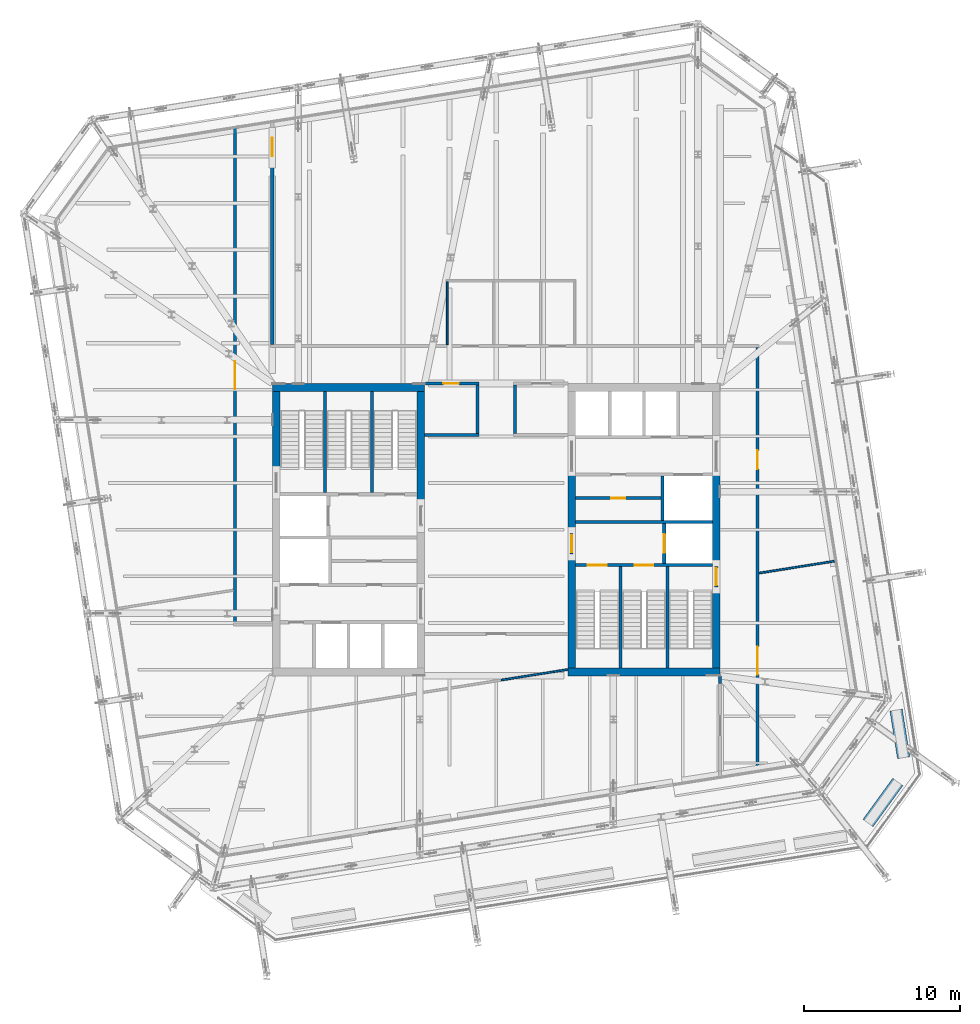
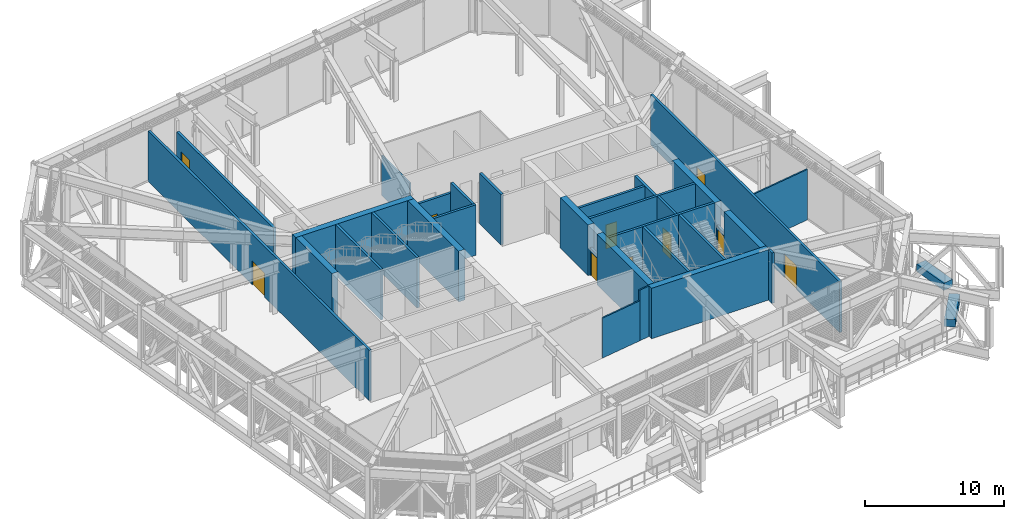
# One storey, part 22 of 35: 33 walls, 11 doors, 11 openings.
"""IFC4 building model written with IfcOpenShell, lengths in metres."""

import ifcopenshell
import ifcopenshell.guid

model = None  # the IFC model being written
_history = None  # IfcOwnerHistory: only IFC2X3 demands one
_inside = {}  # id of a spatial element -> (the spatial element, [elements in it])
_under = {}  # id of a project, library or spatial element -> (it, [spatial elements below it])
_declared = {}  # id of a project -> (the project, [libraries it declares])
_typed = {}  # id of a type object -> (the type object, [elements of that type])
_made_of = {}  # id of a material, layer set ... -> (it, [elements and type objects made of it])


def new_model(schema):
    """Start an empty IFC model of exactly this schema.

    Asked for "IFC4X3", IfcOpenShell would pick the latest addendum, in which some entities
    have other attributes; the version numbers below select the first issue.
    IFC2X3 requires an IfcOwnerHistory on every rooted entity: one is made here for all.
    """
    global model, _history
    if schema == "IFC4X3":
        model = ifcopenshell.file(schema_version=(4, 3, 0, 0))
    else:
        model = ifcopenshell.file(schema=schema)
    _inside.clear()
    _under.clear()
    _declared.clear()
    _typed.clear()
    _made_of.clear()
    _history = None
    if model.schema == "IFC2X3":
        org = make("IfcOrganization", Name="unknown")
        user = make(
            "IfcPersonAndOrganization",
            ThePerson=make("IfcPerson", FamilyName="unknown"),
            TheOrganization=org,
        )
        app = make(
            "IfcApplication",
            ApplicationDeveloper=org,
            Version="unknown",
            ApplicationFullName="unknown",
            ApplicationIdentifier="unknown",
        )
        _history = make(
            "IfcOwnerHistory",
            OwningUser=user,
            OwningApplication=app,
            ChangeAction="ADDED",
            CreationDate=0,
        )
    return model


def make(cls, **values):
    """One entity of the class cls with the attributes given. An attribute that is None is left unset."""
    return model.create_entity(
        cls, **{name: value for name, value in values.items() if value is not None}
    )


def rooted(cls, **values):
    """An entity with a GlobalId (a new one), such as an element, a storey or a relation."""
    return make(cls, GlobalId=ifcopenshell.guid.new(), OwnerHistory=_history, **values)


def si_unit(unit_type, name, prefix=None):
    """IfcSIUnit, for example si_unit("LENGTHUNIT", "METRE", prefix="MILLI")."""
    return make("IfcSIUnit", UnitType=unit_type, Prefix=prefix, Name=name)


def assignment(units):
    """IfcUnitAssignment: the units of a project."""
    return None if units is None else make("IfcUnitAssignment", Units=units)


def point(xyz):
    """IfcCartesianPoint."""
    return None if xyz is None else make("IfcCartesianPoint", Coordinates=xyz)


def direction(xyz):
    """IfcDirection."""
    return None if xyz is None else make("IfcDirection", DirectionRatios=xyz)


def frame(location, z_axis=None, x_axis=None):
    """IfcAxis2Placement3D, a coordinate frame: its origin and axes. An axis left out is left unset."""
    return make(
        "IfcAxis2Placement3D",
        Location=point(location),
        Axis=direction(z_axis),
        RefDirection=direction(x_axis),
    )


def frame_2d(location, x_axis=None):
    """IfcAxis2Placement2D, a coordinate frame in the plane: its origin and x axis."""
    return make(
        "IfcAxis2Placement2D", Location=point(location), RefDirection=direction(x_axis)
    )


def origin():
    """The frame at (0, 0, 0) with its axes left unset."""
    return frame((0.0, 0.0, 0.0))


def place(relative_to, where):
    """IfcLocalPlacement: puts the frame where relative to a parent placement (None: the world)."""
    return make(
        "IfcLocalPlacement", PlacementRelTo=relative_to, RelativePlacement=where
    )


def context(
    kind, dimensions, precision=None, world=None, true_north=None, identifier=None
):
    """IfcGeometricRepresentationContext, for example the 3D "Model" context."""
    return make(
        "IfcGeometricRepresentationContext",
        ContextIdentifier=identifier,
        ContextType=kind,
        CoordinateSpaceDimension=dimensions,
        Precision=precision,
        WorldCoordinateSystem=world,
        TrueNorth=true_north,
    )


def subcontext(parent, identifier, kind, view, scale=None):
    """IfcGeometricRepresentationSubContext, for example "Body" below "Model"."""
    return make(
        "IfcGeometricRepresentationSubContext",
        ContextIdentifier=identifier,
        ContextType=kind,
        ParentContext=parent,
        TargetScale=scale,
        TargetView=view,
    )


def project(units=None, contexts=None):
    """IfcProject with its units and contexts."""
    return rooted(
        "IfcProject",
        Name="project",
        RepresentationContexts=contexts,
        UnitsInContext=assignment(units),
    )


def spatial(cls, under=None, at=None, **own):
    """A site, building, storey or space (cls), placed at a placement, below another one or the project."""
    s = rooted(cls, ObjectPlacement=at, **own)
    if under is not None:
        _under.setdefault(under.id(), (under, []))[1].append(s)
    return s


def profile(cls, at=None, kind="AREA", **sizes):
    """A parametric profile (cls). Its sizes go by their IFC names, for example OverallWidth=200.0."""
    return make(cls, ProfileType=kind, Position=at, **sizes)


def rectangle(**sizes):
    """IfcRectangleProfileDef."""
    return profile("IfcRectangleProfileDef", **sizes)


def extrude(swept, where, along, depth):
    """IfcExtrudedAreaSolid: the profile swept, set in the frame where, extruded along a direction by depth."""
    return make(
        "IfcExtrudedAreaSolid",
        SweptArea=swept,
        Position=where,
        ExtrudedDirection=direction(along),
        Depth=depth,
    )


def shape(context_of_items, identifier, shape_type, items):
    """IfcShapeRepresentation: the items that make up one representation, for example the "Body"."""
    return make(
        "IfcShapeRepresentation",
        ContextOfItems=context_of_items,
        RepresentationIdentifier=identifier,
        RepresentationType=shape_type,
        Items=items,
    )


def material(Name=None, Category=None):
    """IfcMaterial."""
    return make("IfcMaterial", Name=Name, Category=Category)


def layer(
    of_material, thickness, ventilated=None, Name=None, Category=None, Priority=None
):
    """IfcMaterialLayer: one layer of a wall or slab, of a material (None: an air gap)."""
    return make(
        "IfcMaterialLayer",
        Material=of_material,
        LayerThickness=thickness,
        IsVentilated=ventilated,
        Name=Name,
        Category=Category,
        Priority=Priority,
    )


def layer_set(layers, Name=None):
    """IfcMaterialLayerSet."""
    return make("IfcMaterialLayerSet", MaterialLayers=layers, LayerSetName=Name)


def made_of(thing, what):
    """Note that an element or type object is made of a material, layer set ...; save() writes the relation."""
    if what is not None:
        _made_of.setdefault(what.id(), (what, []))[1].append(thing)
    return thing


def type_object(cls, material=None, **own):
    """A type object (cls), such as IfcWallType, which elements share."""
    return made_of(rooted(cls, **own), material)


def element(
    cls,
    number,
    at=None,
    inside=None,
    cuts=None,
    type_object=None,
    material=None,
    context=None,
    identifier="Body",
    shape_type=None,
    held_by="IfcProductDefinitionShape",
    body=None,
    shapes=None,
    **own,
):
    """One element of the class cls, such as IfcWall. Its Tag is "e" and its number.

    at: its placement. inside: the storey or other place that contains it. cuts: it is an
    opening in that element (IfcRelVoidsElement). A single representation is given by context,
    identifier, shape_type and body (its items); several are given by shapes. held_by: the class
    of the entity that holds the representations. save() writes the other relations.
    """
    e = rooted(cls, Tag="e%d" % number, ObjectPlacement=at, **own)
    if body is not None:
        shapes = [shape(context, identifier, shape_type, body)]
    if shapes is not None:
        e.Representation = make(held_by, Representations=shapes)
    if inside is not None:
        _inside.setdefault(inside.id(), (inside, []))[1].append(e)
    if cuts is not None:
        rooted(
            "IfcRelVoidsElement", RelatingBuildingElement=cuts, RelatedOpeningElement=e
        )
    if type_object is not None:
        _typed.setdefault(type_object.id(), (type_object, []))[1].append(e)
    return made_of(e, material)


def fill(opening, filler):
    """IfcRelFillsElement: the door or window that sits in an opening."""
    return rooted(
        "IfcRelFillsElement",
        RelatingOpeningElement=opening,
        RelatedBuildingElement=filler,
    )


def aggregate(whole, parts):
    """IfcRelAggregates: a whole, such as a stair, and the parts it consists of."""
    return rooted("IfcRelAggregates", RelatingObject=whole, RelatedObjects=parts)


def save(model, path):
    """Write the relations noted so far, then the file.

    IfcRelAggregates (storeys below a building ...), IfcRelContainedInSpatialStructure (elements
    in a storey), IfcRelDefinesByType, IfcRelAssociatesMaterial and IfcRelDeclares: one each for
    every whole, place, type object, material and project.
    """
    for whole, parts in _under.values():
        aggregate(whole, parts)
    for where, things in _inside.values():
        rooted(
            "IfcRelContainedInSpatialStructure",
            RelatedElements=things,
            RelatingStructure=where,
        )
    for kind, things in _typed.values():
        rooted("IfcRelDefinesByType", RelatedObjects=things, RelatingType=kind)
    for what, things in _made_of.values():
        rooted("IfcRelAssociatesMaterial", RelatedObjects=things, RelatingMaterial=what)
    for by, libraries in _declared.values():
        rooted("IfcRelDeclares", RelatingContext=by, RelatedDefinitions=libraries)
    model.write(path)


model = new_model("IFC4")

# Units and contexts
model_context = context("Model", 3, precision=1e-05, world=origin(), true_north=direction((0.0, 1.0)))
body_context = subcontext(model_context, "Body", "Model", "MODEL_VIEW")
ifc_project = project(units=[si_unit("LENGTHUNIT", "METRE"), si_unit("AREAUNIT", "SQUARE_METRE"), si_unit("VOLUMEUNIT", "CUBIC_METRE"), si_unit("PLANEANGLEUNIT", "RADIAN"), si_unit("MASSUNIT", "GRAM", prefix="KILO")], contexts=[model_context])

# Site, building, storey
site_placement = place(None, origin())
site = spatial("IfcSite", under=ifc_project, at=site_placement, CompositionType="ELEMENT")
building_placement = place(site_placement, origin())
building = spatial("IfcBuilding", under=site, at=building_placement, Name="Millrace Tower", CompositionType="ELEMENT")
storey_placement = place(building_placement, frame((0.0, 0.0, 200.10009765625)))
storey = spatial("IfcBuildingStorey", under=building, at=storey_placement, Name="L45", CompositionType="ELEMENT", Elevation=200.10009765625)

# Walls
ifc_material_1 = material(Name="Concrete C60", Category="concrete")
ifc_layer_1 = layer(ifc_material_1, 0.5)
ifc_layer_set_1 = layer_set([ifc_layer_1], Name="Concrete C60")
wall_type_1 = type_object("IfcWallType", Name="Core wall 500 Concrete C60", PredefinedType="SHEAR", material=ifc_layer_set_1)
wall_1_placement = place(storey_placement, frame((-14.39990234375, 9.14990234375, 0.0), z_axis=(0.0, 0.0, 1.0), x_axis=(1.0, 0.0, 0.0)))
element("IfcWall", 1, at=wall_1_placement, inside=storey, type_object=wall_type_1, Name="Core wall W L45", PredefinedType="SHEAR", context=body_context, shape_type="SweptSolid", body=[
    extrude(rectangle(XDim=9.7998046875, YDim=0.5, at=frame_2d((4.89990234375, 0.0))), origin(), (0.0, 0.0, 1.0), 4.43994140625),
])
wall_2_placement = place(storey_placement, frame((-14.14990234375, 3.679931640625, 0.0), z_axis=(0.0, 0.0, 1.0), x_axis=(0.0, 1.0, 0.0)))
element("IfcWall", 2, at=wall_2_placement, inside=storey, type_object=wall_type_1, Name="Core wall W L45", PredefinedType="SHEAR", context=body_context, shape_type="SweptSolid", body=[
    extrude(rectangle(XDim=5.219970703125, YDim=0.5, at=frame_2d((2.60986328125, 0.0))), origin(), (0.0, 0.0, 1.0), 4.43994140625),
])
wall_3_placement = place(storey_placement, frame((-4.85009765625, 1.550048828125, 0.0), z_axis=(0.0, 0.0, 1.0), x_axis=(0.0, 1.0, 0.0)))
element("IfcWall", 3, at=wall_3_placement, inside=storey, type_object=wall_type_1, Name="Core wall W L45", PredefinedType="SHEAR", context=body_context, shape_type="SweptSolid", body=[
    extrude(rectangle(XDim=7.349853515625, YDim=0.5, at=frame_2d((3.6748046875, 0.0))), origin(), (0.0, 0.0, 1.0), 4.43994140625),
])
wall_4_placement = place(storey_placement, frame((14.39990234375, -9.14990234375, 0.0), z_axis=(0.0, 0.0, 1.0), x_axis=(-1.0, 0.0, 0.0)))
element("IfcWall", 4, at=wall_4_placement, inside=storey, type_object=wall_type_1, Name="Core wall E L45", PredefinedType="SHEAR", context=body_context, shape_type="SweptSolid", body=[
    extrude(rectangle(XDim=9.7998046875, YDim=0.5, at=frame_2d((4.89990234375, 0.0))), origin(), (0.0, 0.0, 1.0), 4.43994140625),
])
wall_5_placement = place(storey_placement, frame((14.14990234375, 3.75, 0.0), z_axis=(0.0, 0.0, 1.0), x_axis=(0.0, -1.0, 0.0)))
element("IfcWall", 5, at=wall_5_placement, inside=storey, type_object=wall_type_1, Name="Core wall E L45", PredefinedType="SHEAR", context=body_context, shape_type="SweptSolid", body=[
    extrude(rectangle(XDim=6.1298828125, YDim=0.5, at=frame_2d((3.06494140625, 0.0))), origin(), (0.0, 0.0, 1.0), 4.43994140625),
])
wall_6_placement = place(storey_placement, frame((14.14990234375, -3.679931640625, 0.0), z_axis=(0.0, 0.0, 1.0), x_axis=(0.0, -1.0, 0.0)))
element("IfcWall", 6, at=wall_6_placement, inside=storey, type_object=wall_type_1, Name="Core wall E L45", PredefinedType="SHEAR", context=body_context, shape_type="SweptSolid", body=[
    extrude(rectangle(XDim=5.219970703125, YDim=0.5, at=frame_2d((2.60986328125, 0.0))), origin(), (0.0, 0.0, 1.0), 4.43994140625),
])
wall_7_placement = place(storey_placement, frame((4.85009765625, 3.75, 0.0), z_axis=(0.0, 0.0, 1.0), x_axis=(0.0, -1.0, 0.0)))
element("IfcWall", 7, at=wall_7_placement, inside=storey, type_object=wall_type_1, Name="Core wall E L45", PredefinedType="SHEAR", context=body_context, shape_type="SweptSolid", body=[
    extrude(rectangle(XDim=4.0, YDim=0.5, at=frame_2d((2.0, 0.0))), origin(), (0.0, 0.0, 1.0), 4.43994140625),
])
wall_8_placement = place(storey_placement, frame((4.85009765625, -1.550048828125, 0.0), z_axis=(0.0, 0.0, 1.0), x_axis=(0.0, -1.0, 0.0)))
element("IfcWall", 8, at=wall_8_placement, inside=storey, type_object=wall_type_1, Name="Core wall E L45", PredefinedType="SHEAR", context=body_context, shape_type="SweptSolid", body=[
    extrude(rectangle(XDim=7.349853515625, YDim=0.5, at=frame_2d((3.6748046875, 0.0))), origin(), (0.0, 0.0, 1.0), 4.43994140625),
])
ifc_material_2 = material(Name="Masonry partition, fire-rated", Category="masonry")
ifc_layer_2 = layer(ifc_material_2, 0.199951171875)
ifc_layer_set_2 = layer_set([ifc_layer_2], Name="Masonry partition, fire-rated")
wall_type_2 = type_object("IfcWallType", Name="Corridor wall 200", PredefinedType="PARTITIONING", material=ifc_layer_set_2)
wall_9_placement = place(storey_placement, frame((-4.60009765625, 6.10009765625, 0.0), z_axis=(0.0, 0.0, 1.0), x_axis=(1.0, 0.0, 0.0)))
element("IfcWall", 9, at=wall_9_placement, inside=storey, type_object=wall_type_2, Name="Corridor wall L45", PredefinedType="PARTITIONING", context=body_context, shape_type="SweptSolid", body=[
    extrude(rectangle(XDim=3.5, YDim=0.199951171875, at=frame_2d((1.75, 0.0))), origin(), (0.0, 0.0, 1.0), 4.43994140625),
])

# Wall, opening, door
wall_10_placement = place(storey_placement, frame((-4.60009765625, 9.39990234375, 0.0), z_axis=(0.0, 0.0, 1.0), x_axis=(1.0, 0.0, 0.0)))
wall_10 = element("IfcWall", 10, at=wall_10_placement, inside=storey, type_object=wall_type_2, Name="Corridor wall L45", PredefinedType="PARTITIONING", context=body_context, shape_type="SweptSolid", body=[
    extrude(rectangle(XDim=3.5, YDim=0.199951171875, at=frame_2d((1.75, 0.0))), origin(), (0.0, 0.0, 1.0), 3.5126953125),
])
opening_1_placement = place(wall_10_placement, frame((1.199951171875, 0.0, 0.0)))
opening_1 = element("IfcOpeningElement", 11, at=opening_1_placement, cuts=wall_10, Name="Opening 45-P001", PredefinedType="OPENING", context=body_context, shape_type="SweptSolid", body=[
    extrude(rectangle(XDim=1.0, YDim=2.10009765625, at=frame_2d((0.5, 1.050048828125))), frame((0.0, 0.10986328125, 0.0), z_axis=(0.0, -1.0, 0.0), x_axis=(1.0, 0.0, 0.0)), (0.0, 0.0, 1.0), 0.219970703125),
])
ifc_material_3 = material(Name="Steel door set, fire-rated", Category="steel")
door_type_1 = type_object("IfcDoorType", Name="Corridor door 1000 x 2100", OperationType="SINGLE_SWING_LEFT", PredefinedType="DOOR", material=ifc_material_3)
door_1_placement = place(opening_1_placement, frame((1.0, 0.0, 0.0), z_axis=(0.0, 0.0, 1.0), x_axis=(-1.0, 0.0, 0.0)))
door_1 = element("IfcDoor", 12, at=door_1_placement, inside=storey, type_object=door_type_1, Name="Door 45-P001", OperationType="SINGLE_SWING_RIGHT", OverallHeight=2.10009765625, OverallWidth=1.0, PredefinedType="DOOR", context=body_context, shape_type="SweptSolid", body=[
    extrude(rectangle(XDim=1.0, YDim=2.10009765625, at=frame_2d((0.5, 1.050048828125))), frame((0.0, 0.02490234375, 0.0), z_axis=(0.0, -1.0, 0.0), x_axis=(1.0, 0.0, 0.0)), (0.0, 0.0, 1.0), 0.050048828125),
])
fill(opening_1, door_1)

# Wall, openings, doors
wall_11_placement = place(storey_placement, frame((16.800048828125, -15.494384765625, 0.0), z_axis=(0.0, 0.0, 1.0), x_axis=(0.0, 1.0, 0.0)))
wall_11 = element("IfcWall", 13, at=wall_11_placement, inside=storey, type_object=wall_type_2, Name="Corridor wall L45", PredefinedType="PARTITIONING", context=body_context, shape_type="SweptSolid", body=[
    extrude(rectangle(XDim=27.1943359375, YDim=0.199951171875, at=frame_2d((13.59716796875, 0.0))), origin(), (0.0, 0.0, 1.0), 4.43994140625),
])
opening_2_placement = place(wall_11_placement, frame((6.16845703125, 0.0, 0.0)))
opening_2 = element("IfcOpeningElement", 14, at=opening_2_placement, cuts=wall_11, Name="Opening 45-P006", PredefinedType="OPENING", context=body_context, shape_type="SweptSolid", body=[
    extrude(rectangle(XDim=1.800048828125, YDim=2.10009765625, at=frame_2d((0.89990234375, 1.050048828125))), frame((0.0, 0.10986328125, 0.0), z_axis=(0.0, -1.0, 0.0), x_axis=(1.0, 0.0, 0.0)), (0.0, 0.0, 1.0), 0.219970703125),
])
opening_3_placement = place(wall_11_placement, frame((19.390380859375, 0.0, 0.0)))
opening_3 = element("IfcOpeningElement", 15, at=opening_3_placement, cuts=wall_11, Name="Opening 45-P007", PredefinedType="OPENING", context=body_context, shape_type="SweptSolid", body=[
    extrude(rectangle(XDim=1.199951171875, YDim=2.10009765625, at=frame_2d((0.60009765625, 1.050048828125))), frame((0.0, 0.10986328125, 0.0), z_axis=(0.0, -1.0, 0.0), x_axis=(1.0, 0.0, 0.0)), (0.0, 0.0, 1.0), 0.219970703125),
])
ifc_material_4 = material(Name="Steel door set, fire-rated", Category="steel")
door_type_2 = type_object("IfcDoorType", Name="Corridor door 1200 x 2100", OperationType="SINGLE_SWING_LEFT", PredefinedType="DOOR", material=ifc_material_4)
door_2_placement = place(opening_3_placement, origin())
door_2 = element("IfcDoor", 16, at=door_2_placement, inside=storey, type_object=door_type_2, Name="Door 45-P007", OperationType="SINGLE_SWING_RIGHT", OverallHeight=2.10009765625, OverallWidth=1.199951171875, PredefinedType="DOOR", context=body_context, shape_type="SweptSolid", body=[
    extrude(rectangle(XDim=1.199951171875, YDim=2.10009765625, at=frame_2d((0.60009765625, 1.050048828125))), frame((0.0, 0.02490234375, 0.0), z_axis=(0.0, -1.0, 0.0), x_axis=(1.0, 0.0, 0.0)), (0.0, 0.0, 1.0), 0.050048828125),
])
fill(opening_3, door_2)
ifc_material_5 = material(Name="Steel door set, fire-rated", Category="steel")
door_type_3 = type_object("IfcDoorType", Name="Corridor door 1800 x 2100", OperationType="DOUBLE_DOOR_SINGLE_SWING", PredefinedType="DOOR", material=ifc_material_5)
door_3_placement = place(opening_2_placement, frame((1.800048828125, 0.0, 0.0), z_axis=(0.0, 0.0, 1.0), x_axis=(-1.0, 0.0, 0.0)))
door_3 = element("IfcDoor", 17, at=door_3_placement, inside=storey, type_object=door_type_3, Name="Door 45-P006", OperationType="DOUBLE_DOOR_SINGLE_SWING", OverallHeight=2.10009765625, OverallWidth=1.800048828125, PredefinedType="DOOR", context=body_context, shape_type="SweptSolid", body=[
    extrude(rectangle(XDim=1.800048828125, YDim=2.10009765625, at=frame_2d((0.89990234375, 1.050048828125))), frame((0.0, 0.02490234375, 0.0), z_axis=(0.0, -1.0, 0.0), x_axis=(1.0, 0.0, 0.0)), (0.0, 0.0, 1.0), 0.050048828125),
])
fill(opening_2, door_3)

# Walls
wall_12_placement = place(storey_placement, frame((14.39990234375, -9.901611328125, 0.0), z_axis=(0.0, 0.0, 1.0), x_axis=(0.0, 1.0, 0.0)))
element("IfcWall", 18, at=wall_12_placement, inside=storey, type_object=wall_type_2, Name="Corridor wall L45", PredefinedType="PARTITIONING", context=body_context, shape_type="SweptSolid", body=[
    extrude(rectangle(XDim=0.501708984375, YDim=0.199951171875, at=frame_2d((0.2509765625, 0.0))), origin(), (0.0, 0.0, 1.0), 4.43994140625),
])
for number, where, z_axis, x_axis, name in (
    (19, (1.199951171875, 6.199951171875, 0.0), (0.0, 0.0, 1.0), (0.0, 1.0, 0.0), "Corridor wall L45"),
    (20, (-1.199951171875, 6.199951171875, 0.0), (0.0, 0.0, 1.0), (0.0, 1.0, 0.0), "Corridor wall L45"),
):
    element("IfcWall", number, at=place(storey_placement, frame(where, z_axis=z_axis, x_axis=x_axis)), inside=storey, type_object=wall_type_2, Name=name, PredefinedType="PARTITIONING", context=body_context, shape_type="SweptSolid", body=[
        extrude(rectangle(XDim=3.10009765625, YDim=0.199951171875, at=frame_2d((1.550048828125, 0.0))), origin(), (0.0, 0.0, 1.0), 4.43994140625),
    ])

# Wall, opening, door
wall_13_placement = place(storey_placement, frame((-14.39990234375, 11.89990234375, 0.0), z_axis=(0.0, 0.0, 1.0), x_axis=(0.0, 1.0, 0.0)))
wall_13 = element("IfcWall", 21, at=wall_13_placement, inside=storey, type_object=wall_type_2, Name="Corridor wall L45", PredefinedType="PARTITIONING", context=body_context, shape_type="SweptSolid", body=[
    extrude(rectangle(XDim=13.94873046875, YDim=0.199951171875, at=frame_2d((6.974365234375, 0.0))), origin(), (0.0, 0.0, 1.0), 3.492431640625),
])
opening_4_placement = place(wall_13_placement, frame((12.10009765625, 0.0, 0.0)))
opening_4 = element("IfcOpeningElement", 22, at=opening_4_placement, cuts=wall_13, Name="Opening 45-P011", PredefinedType="OPENING", context=body_context, shape_type="SweptSolid", body=[
    extrude(rectangle(XDim=1.199951171875, YDim=2.10009765625, at=frame_2d((0.60009765625, 1.050048828125))), frame((0.0, 0.10986328125, 0.0), z_axis=(0.0, -1.0, 0.0), x_axis=(1.0, 0.0, 0.0)), (0.0, 0.0, 1.0), 0.219970703125),
])
door_4_placement = place(opening_4_placement, origin())
door_4 = element("IfcDoor", 23, at=door_4_placement, inside=storey, type_object=door_type_2, Name="Door 45-P011", OperationType="SINGLE_SWING_RIGHT", OverallHeight=2.10009765625, OverallWidth=1.199951171875, PredefinedType="DOOR", context=body_context, shape_type="SweptSolid", body=[
    extrude(rectangle(XDim=1.199951171875, YDim=2.10009765625, at=frame_2d((0.60009765625, 1.050048828125))), frame((0.0, 0.02490234375, 0.0), z_axis=(0.0, -1.0, 0.0), x_axis=(1.0, 0.0, 0.0)), (0.0, 0.0, 1.0), 0.050048828125),
])
fill(opening_4, door_4)

wall_14_placement = place(storey_placement, frame((-16.800048828125, -6.0, 0.0), z_axis=(0.0, 0.0, 1.0), x_axis=(0.0, 1.0, 0.0)))
wall_14 = element("IfcWall", 24, at=wall_14_placement, inside=storey, type_object=wall_type_2, Name="Corridor wall L45", PredefinedType="PARTITIONING", context=body_context, shape_type="SweptSolid", body=[
    extrude(rectangle(XDim=31.818115234375, YDim=0.199951171875, at=frame_2d((15.9091796875, 0.0))), origin(), (0.0, 0.0, 1.0), 4.43994140625),
])
opening_5_placement = place(wall_14_placement, frame((15.04443359375, 0.0, 0.0)))
opening_5 = element("IfcOpeningElement", 25, at=opening_5_placement, cuts=wall_14, Name="Opening 45-P005", PredefinedType="OPENING", context=body_context, shape_type="SweptSolid", body=[
    extrude(rectangle(XDim=1.800048828125, YDim=2.10009765625, at=frame_2d((0.89990234375, 1.050048828125))), frame((0.0, 0.10986328125, 0.0), z_axis=(0.0, -1.0, 0.0), x_axis=(1.0, 0.0, 0.0)), (0.0, 0.0, 1.0), 0.219970703125),
])
door_5_placement = place(opening_5_placement, frame((1.800048828125, 0.0, 0.0), z_axis=(0.0, 0.0, 1.0), x_axis=(-1.0, 0.0, 0.0)))
door_5 = element("IfcDoor", 26, at=door_5_placement, inside=storey, type_object=door_type_3, Name="Door 45-P005", OperationType="DOUBLE_DOOR_SINGLE_SWING", OverallHeight=2.10009765625, OverallWidth=1.800048828125, PredefinedType="DOOR", context=body_context, shape_type="SweptSolid", body=[
    extrude(rectangle(XDim=1.800048828125, YDim=2.10009765625, at=frame_2d((0.89990234375, 1.050048828125))), frame((0.0, 0.02490234375, 0.0), z_axis=(0.0, -1.0, 0.0), x_axis=(1.0, 0.0, 0.0)), (0.0, 0.0, 1.0), 0.050048828125),
])
fill(opening_5, door_5)

# Wall
ifc_material_6 = material(Name="Masonry partition, fire-rated", Category="masonry")
ifc_layer_3 = layer(ifc_material_6, 0.199951171875)
ifc_layer_set_3 = layer_set([ifc_layer_3], Name="Masonry partition, fire-rated")
wall_type_3 = type_object("IfcWallType", Name="Lift shaft wall 200", PredefinedType="PARTITIONING", material=ifc_layer_set_3)
wall_15_placement = place(storey_placement, frame((13.89990234375, 0.5, 0.0), z_axis=(0.0, 0.0, 1.0), x_axis=(-1.0, 0.0, 0.0)))
element("IfcWall", 27, at=wall_15_placement, inside=storey, type_object=wall_type_3, Name="Lift shaft wall E L45", PredefinedType="PARTITIONING", context=body_context, shape_type="SweptSolid", body=[
    extrude(rectangle(XDim=8.7998046875, YDim=0.199951171875, at=frame_2d((4.39990234375, 0.0))), origin(), (0.0, 0.0, 1.0), 4.43994140625),
])

# Wall, opening, door
wall_16_placement = place(storey_placement, frame((10.800048828125, 0.39990234375, 0.0), z_axis=(0.0, 0.0, 1.0), x_axis=(0.0, -1.0, 0.0)))
wall_16 = element("IfcWall", 28, at=wall_16_placement, inside=storey, type_object=wall_type_3, Name="Lift shaft wall E L45", PredefinedType="PARTITIONING", context=body_context, shape_type="SweptSolid", body=[
    extrude(rectangle(XDim=2.579833984375, YDim=0.199951171875, at=frame_2d((1.2900390625, 0.0))), origin(), (0.0, 0.0, 1.0), 4.43994140625),
])
opening_6_placement = place(wall_16_placement, frame((0.68994140625, 0.0, 0.0)))
opening_6 = element("IfcOpeningElement", 29, at=opening_6_placement, cuts=wall_16, Name="Opening 45-LD16", PredefinedType="OPENING", context=body_context, shape_type="SweptSolid", body=[
    extrude(rectangle(XDim=1.199951171875, YDim=2.10009765625, at=frame_2d((0.60009765625, 1.050048828125))), frame((0.0, 0.10986328125, 0.0), z_axis=(0.0, -1.0, 0.0), x_axis=(1.0, 0.0, 0.0)), (0.0, 0.0, 1.0), 0.219970703125),
])
ifc_material_7 = material(Name="Stainless steel, fire-rated", Category="steel")
door_type_4 = type_object("IfcDoorType", Name="Lift landing door 1200 x 2100", OperationType="DOUBLE_DOOR_SLIDING", PredefinedType="DOOR", material=ifc_material_7)
door_6_placement = place(opening_6_placement, origin())
door_6 = element("IfcDoor", 30, at=door_6_placement, inside=storey, type_object=door_type_4, Name="Lift landing door LF16 L45", OperationType="DOUBLE_DOOR_SLIDING", OverallHeight=2.10009765625, OverallWidth=1.199951171875, PredefinedType="DOOR", context=body_context, shape_type="SweptSolid", body=[
    extrude(rectangle(XDim=1.199951171875, YDim=2.10009765625, at=frame_2d((0.60009765625, 1.050048828125))), frame((0.0, 0.02490234375, 0.0), z_axis=(0.0, -1.0, 0.0), x_axis=(1.0, 0.0, 0.0)), (0.0, 0.0, 1.0), 0.050048828125),
])
fill(opening_6, door_6)

# Wall
wall_17_placement = place(storey_placement, frame((10.699951171875, 3.449951171875, 0.0), z_axis=(0.0, 0.0, 1.0), x_axis=(0.0, -1.0, 0.0)))
element("IfcWall", 31, at=wall_17_placement, inside=storey, type_object=wall_type_3, Name="Lift shaft wall E L45", PredefinedType="PARTITIONING", context=body_context, shape_type="SweptSolid", body=[
    extrude(rectangle(XDim=2.849853515625, YDim=0.199951171875, at=frame_2d((1.4248046875, 0.0))), origin(), (0.0, 0.0, 1.0), 4.43994140625),
])

# Wall, opening, door
ifc_material_8 = material(Name="Masonry partition, fire-rated", Category="masonry")
ifc_layer_4 = layer(ifc_material_8, 0.199951171875)
ifc_layer_set_4 = layer_set([ifc_layer_4], Name="Masonry partition, fire-rated")
wall_type_4 = type_object("IfcWallType", Name="Lobby wall 200", PredefinedType="PARTITIONING", material=ifc_layer_set_4)
wall_18_placement = place(storey_placement, frame((4.85009765625, -0.25, 0.0), z_axis=(0.0, 0.0, 1.0), x_axis=(0.0, -1.0, 0.0)))
wall_18 = element("IfcWall", 32, at=wall_18_placement, inside=storey, type_object=wall_type_4, Name="Lobby wall E L45", PredefinedType="PARTITIONING", context=body_context, shape_type="SweptSolid", body=[
    extrude(rectangle(XDim=1.300048828125, YDim=0.199951171875, at=frame_2d((0.64990234375, 0.0))), origin(), (0.0, 0.0, 1.0), 2.39990234375),
])
opening_7_placement = place(wall_18_placement, frame((0.10009765625, 0.0, 0.0)))
opening_7 = element("IfcOpeningElement", 33, at=opening_7_placement, cuts=wall_18, Name="Opening 45-C013", PredefinedType="OPENING", context=body_context, shape_type="SweptSolid", body=[
    extrude(rectangle(XDim=1.10009765625, YDim=2.10009765625, at=frame_2d((0.550048828125, 1.050048828125))), frame((0.0, 0.10986328125, 0.0), z_axis=(0.0, -1.0, 0.0), x_axis=(1.0, 0.0, 0.0)), (0.0, 0.0, 1.0), 0.219970703125),
])
ifc_material_9 = material(Name="Steel door, fire-rated", Category="steel")
door_type_5 = type_object("IfcDoorType", Name="Lobby door 1100 x 2100", OperationType="SINGLE_SWING_LEFT", PredefinedType="DOOR", material=ifc_material_9)
door_7_placement = place(opening_7_placement, frame((1.10009765625, 0.0, 0.0), z_axis=(0.0, 0.0, 1.0), x_axis=(-1.0, 0.0, 0.0)))
door_7 = element("IfcDoor", 34, at=door_7_placement, inside=storey, type_object=door_type_5, Name="Lobby door 45-C013", OperationType="SINGLE_SWING_LEFT", OverallHeight=2.10009765625, OverallWidth=1.10009765625, PredefinedType="DOOR", context=body_context, shape_type="SweptSolid", body=[
    extrude(rectangle(XDim=1.10009765625, YDim=2.10009765625, at=frame_2d((0.550048828125, 1.050048828125))), frame((0.0, 0.02490234375, 0.0), z_axis=(0.0, -1.0, 0.0), x_axis=(1.0, 0.0, 0.0)), (0.0, 0.0, 1.0), 0.050048828125),
])
fill(opening_7, door_7)

# Walls
ifc_material_10 = material(Name="Concrete C40", Category="concrete")
ifc_layer_5 = layer(ifc_material_10, 0.800048828125)
ifc_layer_set_5 = layer_set([ifc_layer_5], Name="Concrete C40")
wall_type_5 = type_object("IfcWallType", Name="PLANTER raised bed 650 high x 800 thick", PredefinedType="STANDARD", material=ifc_layer_set_5)
wall_19_placement = place(storey_placement, frame((23.90673828125, -18.859130859375, 0.039794921875), z_axis=(0.0, 0.0, 1.0), x_axis=(0.587761308906, 0.809034389722, 0.0)))
element("IfcWall", 35, at=wall_19_placement, inside=storey, type_object=wall_type_5, Name="PLANTER raised bed T-L44-1 1.2.0", PredefinedType="STANDARD", context=body_context, shape_type="SweptSolid", body=[
    extrude(rectangle(XDim=3.2548828125, YDim=0.800048828125, at=frame_2d((1.62744140625, 0.0))), origin(), (0.0, 0.0, 1.0), 0.650146484375),
])
wall_20_placement = place(storey_placement, frame((26.196044921875, -14.65869140625, 0.039794921875), z_axis=(0.0, 0.0, 1.0), x_axis=(-0.156383939083, 0.987696341796, 0.0)))
element("IfcWall", 36, at=wall_20_placement, inside=storey, type_object=wall_type_5, Name="PLANTER raised bed T-L44-1 1.3.0", PredefinedType="STANDARD", context=body_context, shape_type="SweptSolid", body=[
    extrude(rectangle(XDim=3.09423828125, YDim=0.800048828125, at=frame_2d((1.547119140625, 0.0))), origin(), (0.0, 0.0, 1.0), 0.650146484375),
])
ifc_material_11 = material(Name="Gypsum board partition")
ifc_layer_6 = layer(ifc_material_11, 0.1201171875)
ifc_layer_set_6 = layer_set([ifc_layer_6], Name="Gypsum board partition")
wall_type_6 = type_object("IfcWallType", Name="Partition wall 120", PredefinedType="PARTITIONING", material=ifc_layer_set_6)
wall_21_placement = place(storey_placement, frame((0.333251953125, -9.668701171875, 0.0), z_axis=(0.0, 0.0, 1.0), x_axis=(0.987688547763, 0.156433157029, 0.0)))
element("IfcWall", 37, at=wall_21_placement, inside=storey, type_object=wall_type_6, Name="Partition wall L45", PredefinedType="PARTITIONING", context=body_context, shape_type="SweptSolid", body=[
    extrude(rectangle(XDim=3.4365234375, YDim=0.1201171875, at=frame_2d((1.71826171875, 0.0))), origin(), (0.0, 0.0, 1.0), 3.5126953125),
])
wall_22_placement = place(storey_placement, frame((3.7275390625, -9.131103515625, 0.0), z_axis=(0.0, 0.0, 1.0), x_axis=(0.987691158138, 0.156416674736, 0.0)))
element("IfcWall", 38, at=wall_22_placement, inside=storey, type_object=wall_type_6, Name="Partition wall L45", PredefinedType="PARTITIONING", context=body_context, shape_type="SweptSolid", body=[
    extrude(rectangle(XDim=0.883544921875, YDim=0.1201171875, at=frame_2d((0.44189453125, 0.0))), origin(), (0.0, 0.0, 1.0), 4.43994140625),
])
wall_23_placement = place(storey_placement, frame((16.898681640625, -2.79248046875, 0.0), z_axis=(0.0, 0.0, 1.0), x_axis=(0.987700517637, 0.156357562849, 0.0)))
element("IfcWall", 39, at=wall_23_placement, inside=storey, type_object=wall_type_6, Name="Partition wall L45", PredefinedType="PARTITIONING", context=body_context, shape_type="SweptSolid", body=[
    extrude(rectangle(XDim=4.951171875, YDim=0.1201171875, at=frame_2d((2.4755859375, 0.0))), origin(), (0.0, 0.0, 1.0), 4.43994140625),
])
wall_24_placement = place(storey_placement, frame((-3.14990234375, 11.89990234375, 0.0), z_axis=(0.0, 0.0, 1.0), x_axis=(0.0, 1.0, 0.0)))
element("IfcWall", 40, at=wall_24_placement, inside=storey, type_object=wall_type_6, Name="Partition wall L45", PredefinedType="PARTITIONING", context=body_context, shape_type="SweptSolid", body=[
    extrude(rectangle(XDim=4.0400390625, YDim=0.1201171875, at=frame_2d((2.02001953125, 0.0))), origin(), (0.0, 0.0, 1.0), 3.492431640625),
])

# Wall, opening, door
ifc_material_12 = material(Name="Masonry partition, fire-rated", Category="masonry")
ifc_layer_7 = layer(ifc_material_12, 0.199951171875)
ifc_layer_set_7 = layer_set([ifc_layer_7], Name="Masonry partition, fire-rated")
wall_type_7 = type_object("IfcWallType", Name="Room partition 200", PredefinedType="PARTITIONING", material=ifc_layer_set_7)
wall_25_placement = place(storey_placement, frame((10.60009765625, 2.02490234375, 0.0), z_axis=(0.0, 0.0, 1.0), x_axis=(-1.0, 0.0, 0.0)))
wall_25 = element("IfcWall", 41, at=wall_25_placement, inside=storey, type_object=wall_type_7, Name="Room partition E L45", PredefinedType="PARTITIONING", context=body_context, shape_type="SweptSolid", body=[
    extrude(rectangle(XDim=5.5, YDim=0.199951171875, at=frame_2d((2.75, 0.0))), origin(), (0.0, 0.0, 1.0), 4.43994140625),
])
opening_8_placement = place(wall_25_placement, frame((2.300048828125, 0.0, 0.0)))
opening_8 = element("IfcOpeningElement", 42, at=opening_8_placement, cuts=wall_25, Name="Opening 45-C016", PredefinedType="OPENING", context=body_context, shape_type="SweptSolid", body=[
    extrude(rectangle(XDim=0.89990234375, YDim=2.10009765625, at=frame_2d((0.449951171875, 1.050048828125))), frame((0.0, 0.10986328125, 0.0), z_axis=(0.0, -1.0, 0.0), x_axis=(1.0, 0.0, 0.0)), (0.0, 0.0, 1.0), 0.219970703125),
])
ifc_material_13 = material(Name="Steel door, fire-rated", Category="steel")
door_type_6 = type_object("IfcDoorType", Name="Service room door 900 x 2100", OperationType="SINGLE_SWING_LEFT", PredefinedType="DOOR", material=ifc_material_13)
door_8_placement = place(opening_8_placement, origin())
door_8 = element("IfcDoor", 43, at=door_8_placement, inside=storey, type_object=door_type_6, Name="Service room door 45-C016", OperationType="SINGLE_SWING_RIGHT", OverallHeight=2.10009765625, OverallWidth=0.89990234375, PredefinedType="DOOR", context=body_context, shape_type="SweptSolid", body=[
    extrude(rectangle(XDim=0.89990234375, YDim=2.10009765625, at=frame_2d((0.449951171875, 1.050048828125))), frame((0.0, 0.02490234375, 0.0), z_axis=(0.0, -1.0, 0.0), x_axis=(1.0, 0.0, 0.0)), (0.0, 0.0, 1.0), 0.050048828125),
])
fill(opening_8, door_8)

# Walls
ifc_material_14 = material(Name="Concrete C40", Category="concrete")
ifc_layer_8 = layer(ifc_material_14, 0.199951171875)
ifc_layer_set_8 = layer_set([ifc_layer_8], Name="Concrete C40")
wall_type_8 = type_object("IfcWallType", Name="Stair enclosure wall 200 Concrete C40", PredefinedType="SHEAR", material=ifc_layer_set_8)
for number, where, z_axis, x_axis, name in (
    (44, (-11.0, 2.3798828125, 0.0), (0.0, 0.0, 1.0), (0.0, 1.0, 0.0), "Stair enclosure wall W L45"),
    (45, (-8.0, 2.3798828125, 0.0), (0.0, 0.0, 1.0), (0.0, 1.0, 0.0), "Stair enclosure wall W L45"),
):
    element("IfcWall", number, at=place(storey_placement, frame(where, z_axis=z_axis, x_axis=x_axis)), inside=storey, type_object=wall_type_8, Name=name, PredefinedType="SHEAR", context=body_context, shape_type="SweptSolid", body=[
        extrude(rectangle(XDim=6.52001953125, YDim=0.199951171875, at=frame_2d((3.260009765625, 0.0))), origin(), (0.0, 0.0, 1.0), 4.43994140625),
    ])

# Wall, opening, door
wall_26_placement = place(storey_placement, frame((14.14990234375, -2.3798828125, 0.0), z_axis=(0.0, 0.0, 1.0), x_axis=(0.0, -1.0, 0.0)))
wall_26 = element("IfcWall", 46, at=wall_26_placement, inside=storey, type_object=wall_type_8, Name="Stair enclosure wall E L45", PredefinedType="SHEAR", context=body_context, shape_type="SweptSolid", body=[
    extrude(rectangle(XDim=1.300048828125, YDim=0.199951171875, at=frame_2d((0.64990234375, 0.0))), origin(), (0.0, 0.0, 1.0), 2.39990234375),
])
opening_9_placement = place(wall_26_placement, frame((0.10009765625, 0.0, 0.0)))
opening_9 = element("IfcOpeningElement", 47, at=opening_9_placement, cuts=wall_26, Name="Opening 45-C011", PredefinedType="OPENING", context=body_context, shape_type="SweptSolid", body=[
    extrude(rectangle(XDim=1.10009765625, YDim=2.10009765625, at=frame_2d((0.550048828125, 1.050048828125))), frame((0.0, 0.10986328125, 0.0), z_axis=(0.0, -1.0, 0.0), x_axis=(1.0, 0.0, 0.0)), (0.0, 0.0, 1.0), 0.219970703125),
])
ifc_material_15 = material(Name="Steel door, fire-rated", Category="steel")
door_type_7 = type_object("IfcDoorType", Name="Stair door 1100 x 2100", OperationType="SINGLE_SWING_LEFT", PredefinedType="DOOR", material=ifc_material_15)
door_9_placement = place(opening_9_placement, origin())
door_9 = element("IfcDoor", 48, at=door_9_placement, inside=storey, type_object=door_type_7, Name="Stair door 45-C011", OperationType="SINGLE_SWING_RIGHT", OverallHeight=2.10009765625, OverallWidth=1.10009765625, PredefinedType="DOOR", context=body_context, shape_type="SweptSolid", body=[
    extrude(rectangle(XDim=1.10009765625, YDim=2.10009765625, at=frame_2d((0.550048828125, 1.050048828125))), frame((0.0, 0.02490234375, 0.0), z_axis=(0.0, -1.0, 0.0), x_axis=(1.0, 0.0, 0.0)), (0.0, 0.0, 1.0), 0.050048828125),
])
fill(opening_9, door_9)

# Wall, openings, doors
wall_27_placement = place(storey_placement, frame((13.89990234375, -2.280029296875, 0.0), z_axis=(0.0, 0.0, 1.0), x_axis=(-1.0, 0.0, 0.0)))
wall_27 = element("IfcWall", 49, at=wall_27_placement, inside=storey, type_object=wall_type_8, Name="Stair enclosure wall E L45", PredefinedType="SHEAR", context=body_context, shape_type="SweptSolid", body=[
    extrude(rectangle(XDim=8.7998046875, YDim=0.199951171875, at=frame_2d((4.39990234375, 0.0))), origin(), (0.0, 0.0, 1.0), 4.43994140625),
])
opening_10_placement = place(wall_27_placement, frame((3.800048828125, 0.0, 0.0)))
opening_10 = element("IfcOpeningElement", 50, at=opening_10_placement, cuts=wall_27, Name="Opening 45-C017", PredefinedType="OPENING", context=body_context, shape_type="SweptSolid", body=[
    extrude(rectangle(XDim=1.199951171875, YDim=2.10009765625, at=frame_2d((0.60009765625, 1.050048828125))), frame((0.0, 0.10986328125, 0.0), z_axis=(0.0, -1.0, 0.0), x_axis=(1.0, 0.0, 0.0)), (0.0, 0.0, 1.0), 0.219970703125),
])
opening_11_placement = place(wall_27_placement, frame((6.800048828125, 0.0, 0.0)))
opening_11 = element("IfcOpeningElement", 51, at=opening_11_placement, cuts=wall_27, Name="Opening 45-C018", PredefinedType="OPENING", context=body_context, shape_type="SweptSolid", body=[
    extrude(rectangle(XDim=1.199951171875, YDim=2.10009765625, at=frame_2d((0.60009765625, 1.050048828125))), frame((0.0, 0.10986328125, 0.0), z_axis=(0.0, -1.0, 0.0), x_axis=(1.0, 0.0, 0.0)), (0.0, 0.0, 1.0), 0.219970703125),
])
ifc_material_16 = material(Name="Steel door, fire-rated", Category="steel")
door_type_8 = type_object("IfcDoorType", Name="Stair door 1200 x 2100", OperationType="SINGLE_SWING_LEFT", PredefinedType="DOOR", material=ifc_material_16)
door_10_placement = place(opening_10_placement, frame((1.199951171875, 0.0, 0.0), z_axis=(0.0, 0.0, 1.0), x_axis=(-1.0, 0.0, 0.0)))
door_10 = element("IfcDoor", 52, at=door_10_placement, inside=storey, type_object=door_type_8, Name="Stair door 45-C017", OperationType="SINGLE_SWING_LEFT", OverallHeight=2.10009765625, OverallWidth=1.199951171875, PredefinedType="DOOR", context=body_context, shape_type="SweptSolid", body=[
    extrude(rectangle(XDim=1.199951171875, YDim=2.10009765625, at=frame_2d((0.60009765625, 1.050048828125))), frame((0.0, 0.02490234375, 0.0), z_axis=(0.0, -1.0, 0.0), x_axis=(1.0, 0.0, 0.0)), (0.0, 0.0, 1.0), 0.050048828125),
])
fill(opening_10, door_10)
door_11_placement = place(opening_11_placement, frame((1.199951171875, 0.0, 0.0), z_axis=(0.0, 0.0, 1.0), x_axis=(-1.0, 0.0, 0.0)))
door_11 = element("IfcDoor", 53, at=door_11_placement, inside=storey, type_object=door_type_8, Name="Stair door 45-C018", OperationType="SINGLE_SWING_LEFT", OverallHeight=2.10009765625, OverallWidth=1.199951171875, PredefinedType="DOOR", context=body_context, shape_type="SweptSolid", body=[
    extrude(rectangle(XDim=1.199951171875, YDim=2.10009765625, at=frame_2d((0.60009765625, 1.050048828125))), frame((0.0, 0.02490234375, 0.0), z_axis=(0.0, -1.0, 0.0), x_axis=(1.0, 0.0, 0.0)), (0.0, 0.0, 1.0), 0.050048828125),
])
fill(opening_11, door_11)

# Walls
for number, where, z_axis, x_axis, name in (
    (54, (11.0, -2.3798828125, 0.0), (0.0, 0.0, 1.0), (0.0, -1.0, 0.0), "Stair enclosure wall E L45"),
    (55, (8.0, -2.3798828125, 0.0), (0.0, 0.0, 1.0), (0.0, -1.0, 0.0), "Stair enclosure wall E L45"),
):
    element("IfcWall", number, at=place(storey_placement, frame(where, z_axis=z_axis, x_axis=x_axis)), inside=storey, type_object=wall_type_8, Name=name, PredefinedType="SHEAR", context=body_context, shape_type="SweptSolid", body=[
        extrude(rectangle(XDim=6.52001953125, YDim=0.199951171875, at=frame_2d((3.260009765625, 0.0))), origin(), (0.0, 0.0, 1.0), 4.43994140625),
    ])

save(model, "model.ifc")
